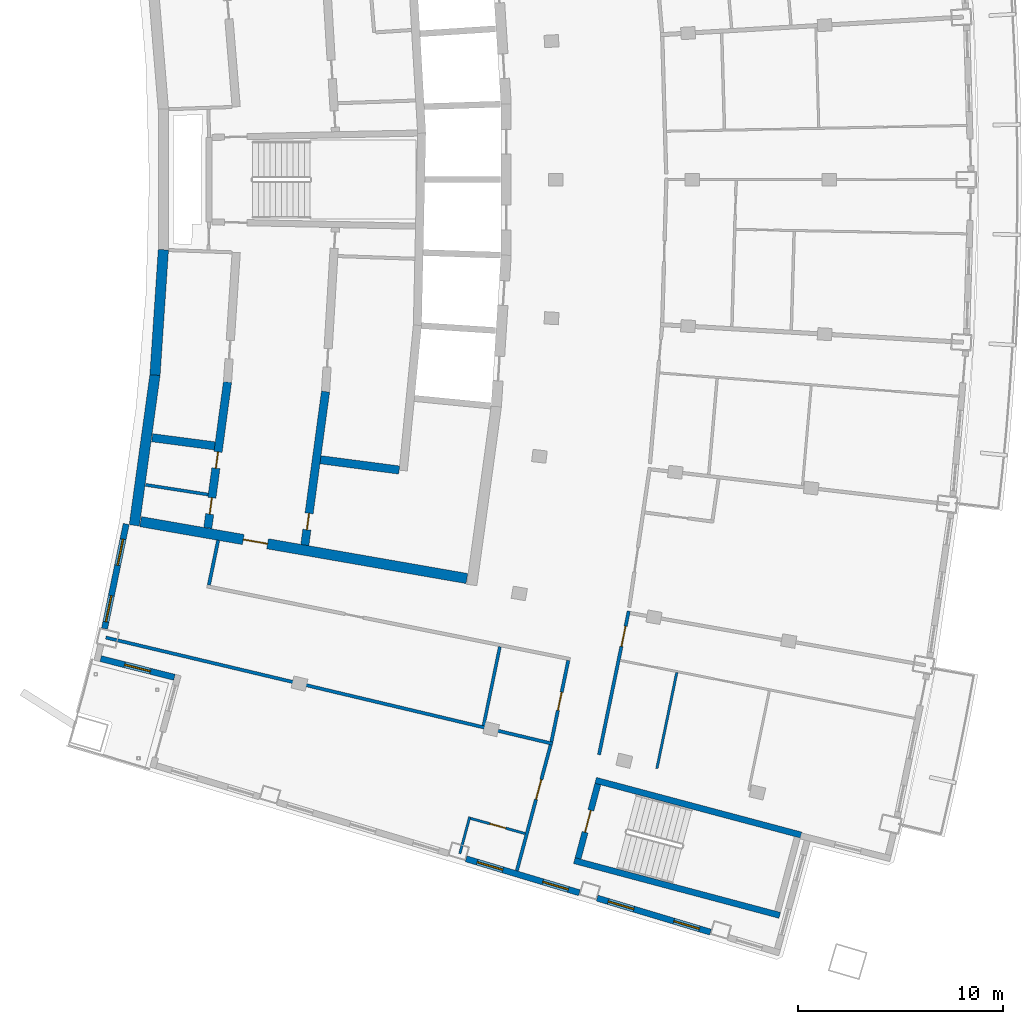
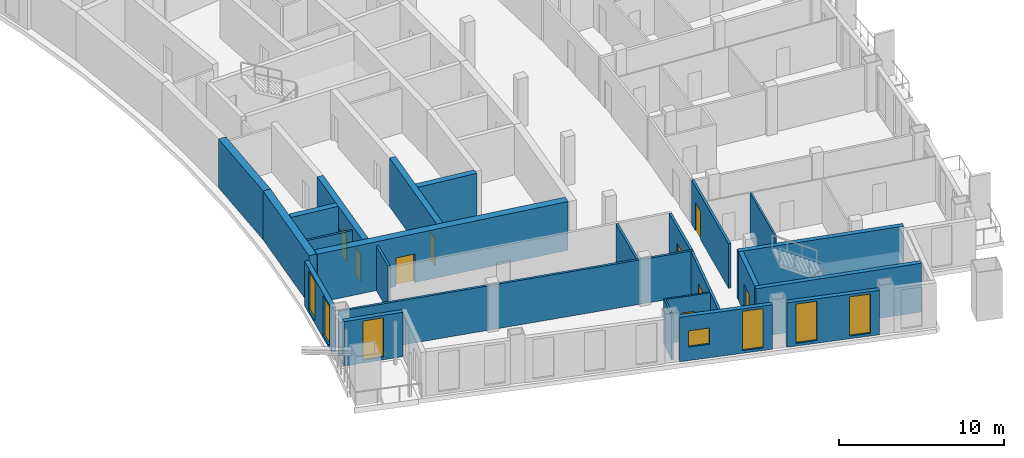
# One storey, part 7 of 16: 24 walls, 9 doors, 7 windows, 16 openings.
"""IFC4 building model written with IfcOpenShell, lengths in metres."""

from ifc_helpers import new_model, si_unit, direction, frame, frame_2d, origin, place, context, subcontext, project, spatial, rectangle, extrude, material, layer, layer_set, type_object, element, fill, save


model = new_model("IFC4")

# Units and contexts
model_context = context("Model", 3, precision=1e-05, world=origin(), true_north=direction((0.0, 1.0)))
body_context = subcontext(model_context, "Body", "Model", "MODEL_VIEW")
ifc_project = project(units=[si_unit("LENGTHUNIT", "METRE"), si_unit("AREAUNIT", "SQUARE_METRE"), si_unit("VOLUMEUNIT", "CUBIC_METRE"), si_unit("PLANEANGLEUNIT", "RADIAN"), si_unit("MASSUNIT", "GRAM", prefix="KILO")], contexts=[model_context])

# Site, building, storey
site_placement = place(None, origin())
site = spatial("IfcSite", under=ifc_project, at=site_placement, CompositionType="ELEMENT")
building_placement = place(site_placement, origin())
building = spatial("IfcBuilding", under=site, at=building_placement, Name="Alderwake Tower", CompositionType="ELEMENT")
storey_placement = place(building_placement, frame((0.0, 0.0, 281.60009765625)))
storey = spatial("IfcBuildingStorey", under=building, at=storey_placement, Name="L70", CompositionType="ELEMENT", Elevation=281.60009765625)

# Walls
ifc_material_1 = material(Name="Gypsum shaft wall system, rated")
ifc_layer_1 = layer(ifc_material_1, 0.14990234375)
ifc_layer_set_1 = layer_set([ifc_layer_1], Name="Core room partition 150")
wall_type_1 = type_object("IfcWallType", Name="Core room partition 150", PredefinedType="PARTITIONING", material=ifc_layer_set_1)
wall_1_placement = place(storey_placement, frame((15.826416015625, 46.128662109375, 0.0), z_axis=(0.0, 0.0, 1.0), x_axis=(0.988169349882, -0.153366671587, 0.0)))
element("IfcWall", 1, at=wall_1_placement, inside=storey, type_object=wall_type_1, Name="CW/L70/PR-161_+0", PredefinedType="PARTITIONING", context=body_context, shape_type="SweptSolid", body=[
    extrude(rectangle(XDim=3.081787109375, YDim=0.14990234375, at=frame_2d((1.541015625, 0.0))), origin(), (0.0, 0.0, 1.0), 3.27978515625),
])
ifc_material_2 = material(Name="Concrete C70/85", Category="concrete")
ifc_layer_2 = layer(ifc_material_2, 0.5)
ifc_layer_set_2 = layer_set([ifc_layer_2], Name="Core wall outer 500 C70-85")
wall_type_2 = type_object("IfcWallType", Name="Core wall outer 500 C70-85", PredefinedType="SHEAR", material=ifc_layer_set_2)
wall_2_placement = place(storey_placement, frame((15.272216796875, 44.155029296875, 0.0), z_axis=(0.0, 0.0, 1.0), x_axis=(0.13632182908, 0.990664604655, 0.0)))
element("IfcWall", 2, at=wall_2_placement, inside=storey, type_object=wall_type_2, Name="Core wall CW.028", PredefinedType="SHEAR", context=body_context, shape_type="SweptSolid", body=[
    extrude(rectangle(XDim=7.408935546875, YDim=0.5, at=frame_2d((3.70458984375, 0.0))), origin(), (0.0, 0.0, 1.0), 3.599853515625),
])
wall_3_placement = place(storey_placement, frame((16.280517578125, 51.4765625, 0.0), z_axis=(0.0, 0.0, 1.0), x_axis=(0.066863022947, 0.997762164127, 0.0)))
element("IfcWall", 3, at=wall_3_placement, inside=storey, type_object=wall_type_2, Name="Core wall CW.027", PredefinedType="SHEAR", context=body_context, shape_type="SweptSolid", body=[
    extrude(rectangle(XDim=6.123291015625, YDim=0.5, at=frame_2d((3.0615234375, 0.0))), origin(), (0.0, 0.0, 1.0), 3.599853515625),
])

# Wall, opening, door
wall_4_placement = place(storey_placement, frame((31.47802734375, 41.564453125, 0.0), z_axis=(0.0, 0.0, 1.0), x_axis=(-0.985140274783, 0.171751678306, 0.0)))
wall_4 = element("IfcWall", 4, at=wall_4_placement, inside=storey, type_object=wall_type_2, Name="Core wall CW.072", PredefinedType="SHEAR", context=body_context, shape_type="SweptSolid", body=[
    extrude(rectangle(XDim=16.137939453125, YDim=0.5, at=frame_2d((8.06884765625, 0.0))), origin(), (0.0, 0.0, 1.0), 3.599853515625),
])
opening_1_placement = place(wall_4_placement, frame((9.859619140625, 0.0, 0.0)))
opening_1 = element("IfcOpeningElement", 5, at=opening_1_placement, cuts=wall_4, Name="Opening C003", PredefinedType="OPENING", context=body_context, shape_type="SweptSolid", body=[
    extrude(rectangle(XDim=1.199951171875, YDim=2.10009765625, at=frame_2d((0.60009765625, 1.050048828125))), frame((0.0, 0.260009765625, 0.0), z_axis=(0.0, -1.0, 0.0), x_axis=(1.0, 0.0, 0.0)), (0.0, 0.0, 1.0), 0.52001953125),
])
ifc_material_3 = material(Name="Steel-framed fire door leaf", Category="steel")
door_type_1 = type_object("IfcDoorType", Name="Core lobby exit door 1200 fire-rated", OperationType="SINGLE_SWING_LEFT", PredefinedType="DOOR", material=ifc_material_3)
door_1_placement = place(opening_1_placement, origin())
door_1 = element("IfcDoor", 6, at=door_1_placement, inside=storey, type_object=door_type_1, Name="Lobby door", OperationType="SINGLE_SWING_LEFT", OverallHeight=2.10009765625, OverallWidth=1.199951171875, PredefinedType="DOOR", context=body_context, shape_type="SweptSolid", body=[
    extrude(rectangle(XDim=1.199951171875, YDim=2.10009765625, at=frame_2d((0.60009765625, 1.050048828125))), frame((0.0, 0.02490234375, 0.0), z_axis=(0.0, -1.0, 0.0), x_axis=(1.0, 0.0, 0.0)), (0.0, 0.0, 1.0), 0.050048828125),
])
fill(opening_1, door_1)

# Wall, openings, doors
ifc_material_4 = material(Name="Concrete C70/85", Category="concrete")
ifc_layer_3 = layer(ifc_material_4, 0.39990234375)
ifc_layer_set_3 = layer_set([ifc_layer_3], Name="Core wall spine 400 C70-85")
wall_type_3 = type_object("IfcWallType", Name="Core wall spine 400 C70-85", PredefinedType="SHEAR", material=ifc_layer_set_3)
wall_5_placement = place(storey_placement, frame((19.814697265625, 51.143798828125, 0.0), z_axis=(0.0, 0.0, 1.0), x_axis=(-0.133823115837, -0.991005233925, 0.0)))
wall_5 = element("IfcWall", 7, at=wall_5_placement, inside=storey, type_object=wall_type_3, Name="Core wall CW.033", PredefinedType="SHEAR", context=body_context, shape_type="SweptSolid", body=[
    extrude(rectangle(XDim=7.1787109375, YDim=0.39990234375, at=frame_2d((3.58935546875, 0.0))), origin(), (0.0, 0.0, 1.0), 3.599853515625),
])
opening_2_placement = place(wall_5_placement, frame((5.69677734375, 0.0, 0.0)))
opening_2 = element("IfcOpeningElement", 8, at=opening_2_placement, cuts=wall_5, Name="Opening C009", PredefinedType="OPENING", context=body_context, shape_type="SweptSolid", body=[
    extrude(rectangle(XDim=0.800048828125, YDim=2.0, at=frame_2d((0.39990234375, 1.0))), frame((0.0, 0.2099609375, 0.0), z_axis=(0.0, -1.0, 0.0), x_axis=(1.0, 0.0, 0.0)), (0.0, 0.0, 1.0), 0.419921875),
])
opening_3_placement = place(wall_5_placement, frame((3.443115234375, 0.0, 0.0)))
opening_3 = element("IfcOpeningElement", 9, at=opening_3_placement, cuts=wall_5, Name="Opening C010", PredefinedType="OPENING", context=body_context, shape_type="SweptSolid", body=[
    extrude(rectangle(XDim=0.800048828125, YDim=2.0, at=frame_2d((0.39990234375, 1.0))), frame((0.0, 0.2099609375, 0.0), z_axis=(0.0, -1.0, 0.0), x_axis=(1.0, 0.0, 0.0)), (0.0, 0.0, 1.0), 0.419921875),
])
ifc_material_5 = material(Name="Painted steel leaf, rated", Category="steel")
door_type_2 = type_object("IfcDoorType", Name="Riser access door 800", OperationType="SINGLE_SWING_LEFT", PredefinedType="DOOR", material=ifc_material_5)
door_2_placement = place(opening_2_placement, origin())
door_2 = element("IfcDoor", 10, at=door_2_placement, inside=storey, type_object=door_type_2, Name="Riser access door", OperationType="SINGLE_SWING_LEFT", OverallHeight=2.0, OverallWidth=0.800048828125, PredefinedType="DOOR", context=body_context, shape_type="SweptSolid", body=[
    extrude(rectangle(XDim=0.800048828125, YDim=2.0, at=frame_2d((0.39990234375, 1.0))), frame((0.0, 0.02490234375, 0.0), z_axis=(0.0, -1.0, 0.0), x_axis=(1.0, 0.0, 0.0)), (0.0, 0.0, 1.0), 0.050048828125),
])
fill(opening_2, door_2)
door_3_placement = place(opening_3_placement, origin())
door_3 = element("IfcDoor", 11, at=door_3_placement, inside=storey, type_object=door_type_2, Name="Riser access door", OperationType="SINGLE_SWING_RIGHT", OverallHeight=2.0, OverallWidth=0.800048828125, PredefinedType="DOOR", context=body_context, shape_type="SweptSolid", body=[
    extrude(rectangle(XDim=0.800048828125, YDim=2.0, at=frame_2d((0.39990234375, 1.0))), frame((0.0, 0.02490234375, 0.0), z_axis=(0.0, -1.0, 0.0), x_axis=(1.0, 0.0, 0.0)), (0.0, 0.0, 1.0), 0.050048828125),
])
fill(opening_3, door_3)

# Wall, opening, door
wall_6_placement = place(storey_placement, frame((23.58056640625, 43.19384765625, 0.0), z_axis=(0.0, 0.0, 1.0), x_axis=(0.133962545762, 0.990986395635, 0.0)))
wall_6 = element("IfcWall", 12, at=wall_6_placement, inside=storey, type_object=wall_type_3, Name="Core wall CW.047", PredefinedType="SHEAR", context=body_context, shape_type="SweptSolid", body=[
    extrude(rectangle(XDim=7.546875, YDim=0.39990234375, at=frame_2d((3.7734375, 0.0))), origin(), (0.0, 0.0, 1.0), 3.599853515625),
])
opening_4_placement = place(wall_6_placement, frame((0.7578125, 0.0, 0.0)))
opening_4 = element("IfcOpeningElement", 13, at=opening_4_placement, cuts=wall_6, Name="Opening C013", PredefinedType="OPENING", context=body_context, shape_type="SweptSolid", body=[
    extrude(rectangle(XDim=0.800048828125, YDim=2.0, at=frame_2d((0.39990234375, 1.0))), frame((0.0, 0.2099609375, 0.0), z_axis=(0.0, -1.0, 0.0), x_axis=(1.0, 0.0, 0.0)), (0.0, 0.0, 1.0), 0.419921875),
])
door_4_placement = place(opening_4_placement, origin())
door_4 = element("IfcDoor", 14, at=door_4_placement, inside=storey, type_object=door_type_2, Name="Riser access door", OperationType="SINGLE_SWING_LEFT", OverallHeight=2.0, OverallWidth=0.800048828125, PredefinedType="DOOR", context=body_context, shape_type="SweptSolid", body=[
    extrude(rectangle(XDim=0.800048828125, YDim=2.0, at=frame_2d((0.39990234375, 1.0))), frame((0.0, 0.02490234375, 0.0), z_axis=(0.0, -1.0, 0.0), x_axis=(1.0, 0.0, 0.0)), (0.0, 0.0, 1.0), 0.050048828125),
])
fill(opening_4, door_4)

# Walls
wall_7_placement = place(storey_placement, frame((16.142578125, 48.42529296875, 0.0), z_axis=(0.0, 0.0, 1.0), x_axis=(0.991550757989, -0.129719290517, 0.0)))
element("IfcWall", 15, at=wall_7_placement, inside=storey, type_object=wall_type_3, Name="Core wall CW.067", PredefinedType="SHEAR", context=body_context, shape_type="SweptSolid", body=[
    extrude(rectangle(XDim=3.0751953125, YDim=0.39990234375, at=frame_2d((1.53759765625, 0.0))), origin(), (0.0, 0.0, 1.0), 3.599853515625),
])
wall_8_placement = place(storey_placement, frame((24.344482421875, 47.3525390625, 0.0), z_axis=(0.0, 0.0, 1.0), x_axis=(0.991554578278, -0.12969008557, 0.0)))
element("IfcWall", 16, at=wall_8_placement, inside=storey, type_object=wall_type_3, Name="Core wall CW.069", PredefinedType="SHEAR", context=body_context, shape_type="SweptSolid", body=[
    extrude(rectangle(XDim=3.86669921875, YDim=0.39990234375, at=frame_2d((1.933349609375, 0.0))), origin(), (0.0, 0.0, 1.0), 3.599853515625),
])
ifc_material_6 = material(Name="Concrete C70/85", Category="concrete")
ifc_layer_4 = layer(ifc_material_6, 0.300048828125)
ifc_layer_set_4 = layer_set([ifc_layer_4], Name="Core wall stair enclosure 300 C70-85")
wall_type_4 = type_object("IfcWallType", Name="Core wall stair enclosure 300 C70-85", PredefinedType="SHEAR", material=ifc_layer_set_4)
for number, where, z_axis, x_axis, name in (
    (17, (37.75390625, 31.731201171875, 0.0), (0.0, 0.0, 1.0), (0.966309214305, -0.257383958996, 0.0), "Core wall CW.086"),
    (18, (36.71142578125, 27.817626953125, 0.0), (0.0, 0.0, 1.0), (0.966309214305, -0.257383958996, 0.0), "Core wall CW.088"),
):
    element("IfcWall", number, at=place(storey_placement, frame(where, z_axis=z_axis, x_axis=x_axis)), inside=storey, type_object=wall_type_4, Name=name, PredefinedType="SHEAR", context=body_context, shape_type="SweptSolid", body=[
        extrude(rectangle(XDim=10.360107421875, YDim=0.300048828125, at=frame_2d((5.18017578125, 0.0))), origin(), (0.0, 0.0, 1.0), 3.599853515625),
    ])

# Wall, opening, door
wall_9_placement = place(storey_placement, frame((36.89501953125, 27.923828125, 0.0), z_axis=(0.0, 0.0, 1.0), x_axis=(0.257350630826, 0.966318090907, 0.0)))
wall_9 = element("IfcWall", 19, at=wall_9_placement, inside=storey, type_object=wall_type_4, Name="Core wall CW.087", PredefinedType="SHEAR", context=body_context, shape_type="SweptSolid", body=[
    extrude(rectangle(XDim=3.75, YDim=0.300048828125, at=frame_2d((1.875, 0.0))), origin(), (0.0, 0.0, 1.0), 3.599853515625),
])
opening_5_placement = place(wall_9_placement, frame((1.324951171875, 0.0, 0.0)))
opening_5 = element("IfcOpeningElement", 20, at=opening_5_placement, cuts=wall_9, Name="Opening C065", PredefinedType="OPENING", context=body_context, shape_type="SweptSolid", body=[
    extrude(rectangle(XDim=1.10009765625, YDim=2.10009765625, at=frame_2d((0.550048828125, 1.050048828125))), frame((0.0, 0.159912109375, 0.0), z_axis=(0.0, -1.0, 0.0), x_axis=(1.0, 0.0, 0.0)), (0.0, 0.0, 1.0), 0.320068359375),
])
ifc_material_7 = material(Name="Steel-framed fire door leaf", Category="steel")
door_type_3 = type_object("IfcDoorType", Name="Core stair door 1100 fire-rated", OperationType="SINGLE_SWING_LEFT", PredefinedType="DOOR", material=ifc_material_7)
door_5_placement = place(opening_5_placement, origin())
door_5 = element("IfcDoor", 21, at=door_5_placement, inside=storey, type_object=door_type_3, Name="Stair door", OperationType="SINGLE_SWING_LEFT", OverallHeight=2.10009765625, OverallWidth=1.10009765625, PredefinedType="DOOR", context=body_context, shape_type="SweptSolid", body=[
    extrude(rectangle(XDim=1.10009765625, YDim=2.10009765625, at=frame_2d((0.550048828125, 1.050048828125))), frame((0.0, 0.02490234375, 0.0), z_axis=(0.0, -1.0, 0.0), x_axis=(1.0, 0.0, 0.0)), (0.0, 0.0, 1.0), 0.050048828125),
])
fill(opening_5, door_5)

# Walls
ifc_material_8 = material(Name="Gypsum board on metal studs, rated")
ifc_layer_5 = layer(ifc_material_8, 0.159912109375)
ifc_layer_set_5 = layer_set([ifc_layer_5], Name="Corridor wall 160")
wall_type_5 = type_object("IfcWallType", Name="Corridor wall 160", PredefinedType="PARTITIONING", material=ifc_layer_set_5)
wall_10_placement = place(storey_placement, frame((13.884033203125, 38.68798828125, 0.0), z_axis=(0.0, 0.0, 1.0), x_axis=(0.972893462073, -0.231253781493, 0.0)))
element("IfcWall", 22, at=wall_10_placement, inside=storey, type_object=wall_type_5, Name="WL/L70/W08", PredefinedType="PARTITIONING", context=body_context, shape_type="SweptSolid", body=[
    extrude(rectangle(XDim=22.38037109375, YDim=0.159912109375, at=frame_2d((11.190185546875, 0.0))), origin(), (0.0, 0.0, 1.0), 3.27978515625),
])
wall_11_placement = place(storey_placement, frame((19.35888671875, 43.430908203125, 0.0), z_axis=(0.0, 0.0, 1.0), x_axis=(-0.202554916658, -0.979270905183, 0.0)))
element("IfcWall", 23, at=wall_11_placement, inside=storey, type_object=wall_type_5, Name="WL/L70/W11", PredefinedType="PARTITIONING", context=body_context, shape_type="SweptSolid", body=[
    extrude(rectangle(XDim=2.229736328125, YDim=0.159912109375, at=frame_2d((1.11474609375, 0.0))), origin(), (0.0, 0.0, 1.0), 3.27978515625),
])

# Wall, opening, door
wall_12_placement = place(storey_placement, frame((33.912109375, 27.321044921875, 0.0), z_axis=(0.0, 0.0, 1.0), x_axis=(0.259370874835, 0.965777794986, 0.0)))
wall_12 = element("IfcWall", 24, at=wall_12_placement, inside=storey, type_object=wall_type_5, Name="WL/L70/W14", PredefinedType="PARTITIONING", context=body_context, shape_type="SweptSolid", body=[
    extrude(rectangle(XDim=6.349853515625, YDim=0.159912109375, at=frame_2d((3.1748046875, 0.0))), origin(), (0.0, 0.0, 1.0), 3.27978515625),
])
opening_6_placement = place(wall_12_placement, frame((3.603515625, 0.0, 0.0)))
opening_6 = element("IfcOpeningElement", 25, at=opening_6_placement, cuts=wall_12, Name="Opening R20-U08.1", PredefinedType="OPENING", context=body_context, shape_type="SweptSolid", body=[
    extrude(rectangle(XDim=1.0, YDim=2.10009765625, at=frame_2d((0.5, 1.050048828125))), frame((0.0, 0.08984375, 0.0), z_axis=(0.0, -1.0, 0.0), x_axis=(1.0, 0.0, 0.0)), (0.0, 0.0, 1.0), 0.179931640625),
])
ifc_material_9 = material(Name="Solid timber leaf in steel frame", Category="steel")
door_type_4 = type_object("IfcDoorType", Name="Flat entrance door 1000 fire-rated", OperationType="SINGLE_SWING_LEFT", PredefinedType="DOOR", material=ifc_material_9)
door_6_placement = place(opening_6_placement, origin())
door_6 = element("IfcDoor", 26, at=door_6_placement, inside=storey, type_object=door_type_4, Name="DR/L70/U08.1", OperationType="SINGLE_SWING_LEFT", OverallHeight=2.10009765625, OverallWidth=1.0, PredefinedType="DOOR", context=body_context, shape_type="SweptSolid", body=[
    extrude(rectangle(XDim=1.0, YDim=2.10009765625, at=frame_2d((0.5, 1.050048828125))), frame((0.0, 0.02490234375, 0.0), z_axis=(0.0, -1.0, 0.0), x_axis=(1.0, 0.0, 0.0)), (0.0, 0.0, 1.0), 0.050048828125),
])
fill(opening_6, door_6)

wall_13_placement = place(storey_placement, frame((35.59619140625, 33.609375, 0.0), z_axis=(0.0, 0.0, 1.0), x_axis=(0.203245920818, 0.979127721838, 0.0)))
wall_13 = element("IfcWall", 27, at=wall_13_placement, inside=storey, type_object=wall_type_5, Name="WL/L70/W16", PredefinedType="PARTITIONING", context=body_context, shape_type="SweptSolid", body=[
    extrude(rectangle(XDim=4.046875, YDim=0.159912109375, at=frame_2d((2.0234375, 0.0))), origin(), (0.0, 0.0, 1.0), 3.27978515625),
])
opening_7_placement = place(wall_13_placement, frame((1.573486328125, 0.0, 0.0)))
opening_7 = element("IfcOpeningElement", 28, at=opening_7_placement, cuts=wall_13, Name="Opening R20-SBS2", PredefinedType="OPENING", context=body_context, shape_type="SweptSolid", body=[
    extrude(rectangle(XDim=0.89990234375, YDim=2.10009765625, at=frame_2d((0.449951171875, 1.050048828125))), frame((0.0, 0.08984375, 0.0), z_axis=(0.0, -1.0, 0.0), x_axis=(1.0, 0.0, 0.0)), (0.0, 0.0, 1.0), 0.179931640625),
])
ifc_material_10 = material(Name="Painted timber leaf", Category="wood")
door_type_5 = type_object("IfcDoorType", Name="Room door 900", OperationType="SINGLE_SWING_LEFT", PredefinedType="DOOR", material=ifc_material_10)
door_7_placement = place(opening_7_placement, origin())
door_7 = element("IfcDoor", 29, at=door_7_placement, inside=storey, type_object=door_type_5, Name="DR/L70/SBS2", OperationType="SINGLE_SWING_LEFT", OverallHeight=2.10009765625, OverallWidth=0.89990234375, PredefinedType="DOOR", context=body_context, shape_type="SweptSolid", body=[
    extrude(rectangle(XDim=0.89990234375, YDim=2.10009765625, at=frame_2d((0.449951171875, 1.050048828125))), frame((0.0, 0.02490234375, 0.0), z_axis=(0.0, -1.0, 0.0), x_axis=(1.0, 0.0, 0.0)), (0.0, 0.0, 1.0), 0.050048828125),
])
fill(opening_7, door_7)

wall_14_placement = place(storey_placement, frame((39.3642578125, 39.975341796875, 0.0), z_axis=(0.0, 0.0, 1.0), x_axis=(-0.202490391407, -0.979284249535, 0.0)))
wall_14 = element("IfcWall", 30, at=wall_14_placement, inside=storey, type_object=wall_type_5, Name="WL/L70/W18", PredefinedType="PARTITIONING", context=body_context, shape_type="SweptSolid", body=[
    extrude(rectangle(XDim=7.147216796875, YDim=0.159912109375, at=frame_2d((3.57373046875, 0.0))), origin(), (0.0, 0.0, 1.0), 3.27978515625),
])
opening_8_placement = place(wall_14_placement, frame((0.7568359375, 0.0, 0.0)))
opening_8 = element("IfcOpeningElement", 31, at=opening_8_placement, cuts=wall_14, Name="Opening R20-U03.2", PredefinedType="OPENING", context=body_context, shape_type="SweptSolid", body=[
    extrude(rectangle(XDim=1.0, YDim=2.10009765625, at=frame_2d((0.5, 1.050048828125))), frame((0.0, 0.08984375, 0.0), z_axis=(0.0, -1.0, 0.0), x_axis=(1.0, 0.0, 0.0)), (0.0, 0.0, 1.0), 0.179931640625),
])
door_8_placement = place(opening_8_placement, origin())
door_8 = element("IfcDoor", 32, at=door_8_placement, inside=storey, type_object=door_type_4, Name="DR/L70/U03.2", OperationType="SINGLE_SWING_LEFT", OverallHeight=2.10009765625, OverallWidth=1.0, PredefinedType="DOOR", context=body_context, shape_type="SweptSolid", body=[
    extrude(rectangle(XDim=1.0, YDim=2.10009765625, at=frame_2d((0.5, 1.050048828125))), frame((0.0, 0.02490234375, 0.0), z_axis=(0.0, -1.0, 0.0), x_axis=(1.0, 0.0, 0.0)), (0.0, 0.0, 1.0), 0.050048828125),
])
fill(opening_8, door_8)

# Wall, openings, windows
ifc_material_11 = material(Name="Precast concrete C50/60 spandrel panel", Category="concrete")
ifc_layer_6 = layer(ifc_material_11, 0.300048828125)
ifc_layer_set_6 = layer_set([ifc_layer_6], Name="External wall EW1 Precast concrete C50/60 spandrel")
wall_type_6 = type_object("IfcWallType", Name="External wall EW1 Precast concrete C50/60 spandrel", PredefinedType="SOLIDWALL", material=ifc_layer_set_6)
wall_15_placement = place(storey_placement, frame((14.878173828125, 44.223388671875, 0.0), z_axis=(0.0, 0.0, 1.0), x_axis=(-0.202760516883, -0.979228355795, 0.0)))
wall_15 = element("IfcWall", 33, at=wall_15_placement, inside=storey, type_object=wall_type_6, Name="External wall 32", PredefinedType="SOLIDWALL", context=body_context, shape_type="SweptSolid", body=[
    extrude(rectangle(XDim=5.211181640625, YDim=0.300048828125, at=frame_2d((2.60546875, 0.0))), origin(), (0.0, 0.0, 1.0), 3.27978515625),
])
opening_9_placement = place(wall_15_placement, frame((0.75634765625, 0.0, 0.199951171875)))
opening_9 = element("IfcOpeningElement", 34, at=opening_9_placement, cuts=wall_15, Name="Opening W1", PredefinedType="OPENING", context=body_context, shape_type="SweptSolid", body=[
    extrude(rectangle(XDim=1.300048828125, YDim=2.89990234375, at=frame_2d((0.64990234375, 1.449951171875))), frame((0.0, 0.159912109375, 0.0), z_axis=(0.0, -1.0, 0.0), x_axis=(1.0, 0.0, 0.0)), (0.0, 0.0, 1.0), 0.320068359375),
])
opening_10_placement = place(wall_15_placement, frame((3.569091796875, 0.0, 0.199951171875)))
opening_10 = element("IfcOpeningElement", 35, at=opening_10_placement, cuts=wall_15, Name="Opening W1", PredefinedType="OPENING", context=body_context, shape_type="SweptSolid", body=[
    extrude(rectangle(XDim=1.300048828125, YDim=2.89990234375, at=frame_2d((0.64990234375, 1.449951171875))), frame((0.0, 0.159912109375, 0.0), z_axis=(0.0, -1.0, 0.0), x_axis=(1.0, 0.0, 0.0)), (0.0, 0.0, 1.0), 0.320068359375),
])
ifc_material_12 = material(Name="Bronze tinted glass in aluminium frame", Category="aluminium")
window_type_1 = type_object("IfcWindowType", Name="Window W1 tall fixed and vent", PartitioningType="DOUBLE_PANEL_VERTICAL", PredefinedType="WINDOW", material=ifc_material_12)
window_1_placement = place(opening_9_placement, origin())
window_1 = element("IfcWindow", 36, at=window_1_placement, inside=storey, type_object=window_type_1, Name="Window W1 tall fixed and vent", OverallHeight=2.89990234375, OverallWidth=1.300048828125, PartitioningType="DOUBLE_PANEL_VERTICAL", PredefinedType="WINDOW", context=body_context, shape_type="SweptSolid", body=[
    extrude(rectangle(XDim=1.300048828125, YDim=2.89990234375, at=frame_2d((0.64990234375, 1.449951171875))), frame((0.0, 0.030029296875, 0.0), z_axis=(0.0, -1.0, 0.0), x_axis=(1.0, 0.0, 0.0)), (0.0, 0.0, 1.0), 0.06005859375),
])
fill(opening_9, window_1)
window_2_placement = place(opening_10_placement, origin())
window_2 = element("IfcWindow", 37, at=window_2_placement, inside=storey, type_object=window_type_1, Name="Window W1 tall fixed and vent", OverallHeight=2.89990234375, OverallWidth=1.300048828125, PartitioningType="DOUBLE_PANEL_VERTICAL", PredefinedType="WINDOW", context=body_context, shape_type="SweptSolid", body=[
    extrude(rectangle(XDim=1.300048828125, YDim=2.89990234375, at=frame_2d((0.64990234375, 1.449951171875))), frame((0.0, 0.030029296875, 0.0), z_axis=(0.0, -1.0, 0.0), x_axis=(1.0, 0.0, 0.0)), (0.0, 0.0, 1.0), 0.06005859375),
])
fill(opening_10, window_2)

# Wall, opening, window
ifc_material_13 = material(Name="Bronze metal cladding on lightweight framing")
ifc_layer_7 = layer(ifc_material_13, 0.300048828125)
ifc_layer_set_7 = layer_set([ifc_layer_7], Name="External wall EW2 bronze metal cladding")
wall_type_7 = type_object("IfcWallType", Name="External wall EW2 bronze metal cladding", PredefinedType="SOLIDWALL", material=ifc_layer_set_7)
wall_16_placement = place(storey_placement, frame((13.633056640625, 37.660400390625, 0.0), z_axis=(0.0, 0.0, 1.0), x_axis=(0.969417366605, -0.245417948254, 0.0)))
wall_16 = element("IfcWall", 38, at=wall_16_placement, inside=storey, type_object=wall_type_7, Name="External wall 2", PredefinedType="SOLIDWALL", context=body_context, shape_type="SweptSolid", body=[
    extrude(rectangle(XDim=3.70556640625, YDim=0.300048828125, at=frame_2d((1.852783203125, 0.0))), origin(), (0.0, 0.0, 1.0), 3.27978515625),
])
opening_11_placement = place(wall_16_placement, frame((1.202880859375, 0.0, 0.199951171875)))
opening_11 = element("IfcOpeningElement", 39, at=opening_11_placement, cuts=wall_16, Name="Opening W1", PredefinedType="OPENING", context=body_context, shape_type="SweptSolid", body=[
    extrude(rectangle(XDim=1.300048828125, YDim=2.89990234375, at=frame_2d((0.64990234375, 1.449951171875))), frame((0.0, 0.159912109375, 0.0), z_axis=(0.0, -1.0, 0.0), x_axis=(1.0, 0.0, 0.0)), (0.0, 0.0, 1.0), 0.320068359375),
])
window_3_placement = place(opening_11_placement, origin())
window_3 = element("IfcWindow", 40, at=window_3_placement, inside=storey, type_object=window_type_1, Name="Window W1 tall fixed and vent", OverallHeight=2.89990234375, OverallWidth=1.300048828125, PartitioningType="DOUBLE_PANEL_VERTICAL", PredefinedType="WINDOW", context=body_context, shape_type="SweptSolid", body=[
    extrude(rectangle(XDim=1.300048828125, YDim=2.89990234375, at=frame_2d((0.64990234375, 1.449951171875))), frame((0.0, 0.030029296875, 0.0), z_axis=(0.0, -1.0, 0.0), x_axis=(1.0, 0.0, 0.0)), (0.0, 0.0, 1.0), 0.06005859375),
])
fill(opening_11, window_3)

# Wall, openings, windows
wall_17_placement = place(storey_placement, frame((31.441162109375, 27.90771484375, 0.0), z_axis=(0.0, 0.0, 1.0), x_axis=(0.957767971424, -0.287542193278, 0.0)))
wall_17 = element("IfcWall", 41, at=wall_17_placement, inside=storey, type_object=wall_type_7, Name="External wall 6", PredefinedType="SOLIDWALL", context=body_context, shape_type="SweptSolid", body=[
    extrude(rectangle(XDim=5.763427734375, YDim=0.300048828125, at=frame_2d((2.8818359375, 0.0))), origin(), (0.0, 0.0, 1.0), 3.27978515625),
])
opening_12_placement = place(wall_17_placement, frame((0.56494140625, 0.0, 1.0)))
opening_12 = element("IfcOpeningElement", 42, at=opening_12_placement, cuts=wall_17, Name="Opening W2", PredefinedType="OPENING", context=body_context, shape_type="SweptSolid", body=[
    extrude(rectangle(XDim=1.300048828125, YDim=1.199951171875, at=frame_2d((0.64990234375, 0.60009765625))), frame((0.0, 0.159912109375, 0.0), z_axis=(0.0, -1.0, 0.0), x_axis=(1.0, 0.0, 0.0)), (0.0, 0.0, 1.0), 0.320068359375),
])
opening_13_placement = place(wall_17_placement, frame((3.898193359375, 0.0, 0.199951171875)))
opening_13 = element("IfcOpeningElement", 43, at=opening_13_placement, cuts=wall_17, Name="Opening W1", PredefinedType="OPENING", context=body_context, shape_type="SweptSolid", body=[
    extrude(rectangle(XDim=1.300048828125, YDim=2.89990234375, at=frame_2d((0.64990234375, 1.449951171875))), frame((0.0, 0.159912109375, 0.0), z_axis=(0.0, -1.0, 0.0), x_axis=(1.0, 0.0, 0.0)), (0.0, 0.0, 1.0), 0.320068359375),
])
window_4_placement = place(opening_13_placement, origin())
window_4 = element("IfcWindow", 44, at=window_4_placement, inside=storey, type_object=window_type_1, Name="Window W1 tall fixed and vent", OverallHeight=2.89990234375, OverallWidth=1.300048828125, PartitioningType="DOUBLE_PANEL_VERTICAL", PredefinedType="WINDOW", context=body_context, shape_type="SweptSolid", body=[
    extrude(rectangle(XDim=1.300048828125, YDim=2.89990234375, at=frame_2d((0.64990234375, 1.449951171875))), frame((0.0, 0.030029296875, 0.0), z_axis=(0.0, -1.0, 0.0), x_axis=(1.0, 0.0, 0.0)), (0.0, 0.0, 1.0), 0.06005859375),
])
fill(opening_13, window_4)
ifc_material_14 = material(Name="Bronze tinted glass in aluminium frame", Category="aluminium")
window_type_2 = type_object("IfcWindowType", Name="Window W2 kitchen and bath", PartitioningType="SINGLE_PANEL", PredefinedType="WINDOW", material=ifc_material_14)
window_5_placement = place(opening_12_placement, origin())
window_5 = element("IfcWindow", 45, at=window_5_placement, inside=storey, type_object=window_type_2, Name="Window W2 kitchen and bath", OverallHeight=1.199951171875, OverallWidth=1.300048828125, PartitioningType="SINGLE_PANEL", PredefinedType="WINDOW", context=body_context, shape_type="SweptSolid", body=[
    extrude(rectangle(XDim=1.300048828125, YDim=1.199951171875, at=frame_2d((0.64990234375, 0.60009765625))), frame((0.0, 0.030029296875, 0.0), z_axis=(0.0, -1.0, 0.0), x_axis=(1.0, 0.0, 0.0)), (0.0, 0.0, 1.0), 0.06005859375),
])
fill(opening_12, window_5)

wall_18_placement = place(storey_placement, frame((37.826416015625, 25.990478515625, 0.0), z_axis=(0.0, 0.0, 1.0), x_axis=(0.957776135082, -0.287514999726, 0.0)))
wall_18 = element("IfcWall", 46, at=wall_18_placement, inside=storey, type_object=wall_type_7, Name="External wall 7", PredefinedType="SOLIDWALL", context=body_context, shape_type="SweptSolid", body=[
    extrude(rectangle(XDim=5.76318359375, YDim=0.300048828125, at=frame_2d((2.881591796875, 0.0))), origin(), (0.0, 0.0, 1.0), 3.27978515625),
])
opening_14_placement = place(wall_18_placement, frame((0.56494140625, 0.0, 0.199951171875)))
opening_14 = element("IfcOpeningElement", 47, at=opening_14_placement, cuts=wall_18, Name="Opening W1", PredefinedType="OPENING", context=body_context, shape_type="SweptSolid", body=[
    extrude(rectangle(XDim=1.300048828125, YDim=2.89990234375, at=frame_2d((0.64990234375, 1.449951171875))), frame((0.0, 0.159912109375, 0.0), z_axis=(0.0, -1.0, 0.0), x_axis=(1.0, 0.0, 0.0)), (0.0, 0.0, 1.0), 0.320068359375),
])
opening_15_placement = place(wall_18_placement, frame((3.898193359375, 0.0, 0.199951171875)))
opening_15 = element("IfcOpeningElement", 48, at=opening_15_placement, cuts=wall_18, Name="Opening W1", PredefinedType="OPENING", context=body_context, shape_type="SweptSolid", body=[
    extrude(rectangle(XDim=1.300048828125, YDim=2.89990234375, at=frame_2d((0.64990234375, 1.449951171875))), frame((0.0, 0.159912109375, 0.0), z_axis=(0.0, -1.0, 0.0), x_axis=(1.0, 0.0, 0.0)), (0.0, 0.0, 1.0), 0.320068359375),
])
window_6_placement = place(opening_14_placement, origin())
window_6 = element("IfcWindow", 49, at=window_6_placement, inside=storey, type_object=window_type_1, Name="Window W1 tall fixed and vent", OverallHeight=2.89990234375, OverallWidth=1.300048828125, PartitioningType="DOUBLE_PANEL_VERTICAL", PredefinedType="WINDOW", context=body_context, shape_type="SweptSolid", body=[
    extrude(rectangle(XDim=1.300048828125, YDim=2.89990234375, at=frame_2d((0.64990234375, 1.449951171875))), frame((0.0, 0.030029296875, 0.0), z_axis=(0.0, -1.0, 0.0), x_axis=(1.0, 0.0, 0.0)), (0.0, 0.0, 1.0), 0.06005859375),
])
fill(opening_14, window_6)
window_7_placement = place(opening_15_placement, origin())
window_7 = element("IfcWindow", 50, at=window_7_placement, inside=storey, type_object=window_type_1, Name="Window W1 tall fixed and vent", OverallHeight=2.89990234375, OverallWidth=1.300048828125, PartitioningType="DOUBLE_PANEL_VERTICAL", PredefinedType="WINDOW", context=body_context, shape_type="SweptSolid", body=[
    extrude(rectangle(XDim=1.300048828125, YDim=2.89990234375, at=frame_2d((0.64990234375, 1.449951171875))), frame((0.0, 0.030029296875, 0.0), z_axis=(0.0, -1.0, 0.0), x_axis=(1.0, 0.0, 0.0)), (0.0, 0.0, 1.0), 0.06005859375),
])
fill(opening_15, window_7)

# Walls
ifc_material_15 = material(Name="Gypsum shaft wall system, rated")
ifc_layer_8 = layer(ifc_material_15, 0.14990234375)
ifc_layer_set_8 = layer_set([ifc_layer_8], Name="Riser and shaft wall 150")
wall_type_8 = type_object("IfcWallType", Name="Riser and shaft wall 150", PredefinedType="PARTITIONING", material=ifc_layer_set_8)
wall_19_placement = place(storey_placement, frame((32.290283203125, 34.3955078125, 0.0), z_axis=(0.0, 0.0, 1.0), x_axis=(0.202568596204, 0.979268075571, 0.0)))
element("IfcWall", 51, at=wall_19_placement, inside=storey, type_object=wall_type_8, Name="WL/L70/W04", PredefinedType="PARTITIONING", context=body_context, shape_type="SweptSolid", body=[
    extrude(rectangle(XDim=3.926513671875, YDim=0.14990234375, at=frame_2d((1.96337890625, 0.0))), origin(), (0.0, 0.0, 1.0), 3.27978515625),
])
ifc_material_16 = material(Name="Moisture resistant gypsum board on metal studs")
ifc_layer_9 = layer(ifc_material_16, 0.1201171875)
ifc_layer_set_9 = layer_set([ifc_layer_9], Name="Wet room partition 120")
wall_type_9 = type_object("IfcWallType", Name="Wet room partition 120", PredefinedType="PARTITIONING", material=ifc_layer_set_9)
wall_20_placement = place(storey_placement, frame((31.61767578125, 29.949951171875, 0.0), z_axis=(0.0, 0.0, 1.0), x_axis=(-0.260171283127, -0.965562480338, 0.0)))
element("IfcWall", 52, at=wall_20_placement, inside=storey, type_object=wall_type_9, Name="WL/L70/W29", PredefinedType="PARTITIONING", context=body_context, shape_type="SweptSolid", body=[
    extrude(rectangle(XDim=1.85888671875, YDim=0.1201171875, at=frame_2d((0.929443359375, 0.0))), origin(), (0.0, 0.0, 1.0), 3.27978515625),
])

# Wall, opening, door
wall_21_placement = place(storey_placement, frame((34.31787109375, 29.136474609375, 0.0), z_axis=(0.0, 0.0, 1.0), x_axis=(-0.963407530319, 0.268040912036, 0.0)))
wall_21 = element("IfcWall", 53, at=wall_21_placement, inside=storey, type_object=wall_type_9, Name="WL/L70/W31", PredefinedType="PARTITIONING", context=body_context, shape_type="SweptSolid", body=[
    extrude(rectangle(XDim=2.759033203125, YDim=0.1201171875, at=frame_2d((1.37939453125, 0.0))), origin(), (0.0, 0.0, 1.0), 3.27978515625),
])
opening_16_placement = place(wall_21_placement, frame((0.9794921875, 0.0, 0.0)))
opening_16 = element("IfcOpeningElement", 54, at=opening_16_placement, cuts=wall_21, Name="Opening R20-U08.2", PredefinedType="OPENING", context=body_context, shape_type="SweptSolid", body=[
    extrude(rectangle(XDim=0.800048828125, YDim=2.10009765625, at=frame_2d((0.39990234375, 1.050048828125))), frame((0.0, 0.070068359375, 0.0), z_axis=(0.0, -1.0, 0.0), x_axis=(1.0, 0.0, 0.0)), (0.0, 0.0, 1.0), 0.14013671875),
])
ifc_material_17 = material(Name="Painted timber leaf", Category="wood")
door_type_6 = type_object("IfcDoorType", Name="Bathroom door 800", OperationType="SINGLE_SWING_LEFT", PredefinedType="DOOR", material=ifc_material_17)
door_9_placement = place(opening_16_placement, origin())
door_9 = element("IfcDoor", 55, at=door_9_placement, inside=storey, type_object=door_type_6, Name="DR/L70/U08.2", OperationType="SINGLE_SWING_LEFT", OverallHeight=2.10009765625, OverallWidth=0.800048828125, PredefinedType="DOOR", context=body_context, shape_type="SweptSolid", body=[
    extrude(rectangle(XDim=0.800048828125, YDim=2.10009765625, at=frame_2d((0.39990234375, 1.050048828125))), frame((0.0, 0.02490234375, 0.0), z_axis=(0.0, -1.0, 0.0), x_axis=(1.0, 0.0, 0.0)), (0.0, 0.0, 1.0), 0.050048828125),
])
fill(opening_16, door_9)

# Wall
wall_22_placement = place(storey_placement, frame((40.737060546875, 32.303955078125, 0.0), z_axis=(0.0, 0.0, 1.0), x_axis=(0.202548156077, 0.979272303535, 0.0)))
element("IfcWall", 56, at=wall_22_placement, inside=storey, type_object=wall_type_9, Name="WL/L70/W33", PredefinedType="PARTITIONING", context=body_context, shape_type="SweptSolid", body=[
    extrude(rectangle(XDim=4.778076171875, YDim=0.1201171875, at=frame_2d((2.38916015625, 0.0))), origin(), (0.0, 0.0, 1.0), 3.27978515625),
])

save(model, "model.ifc")
